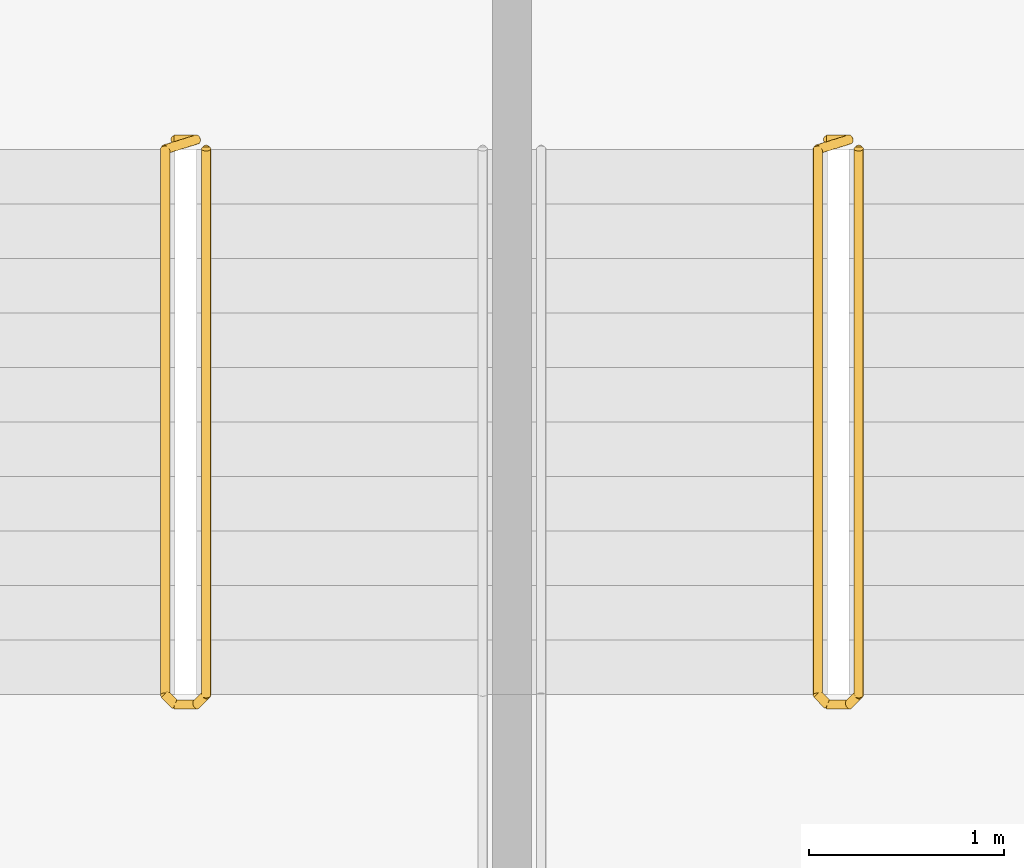
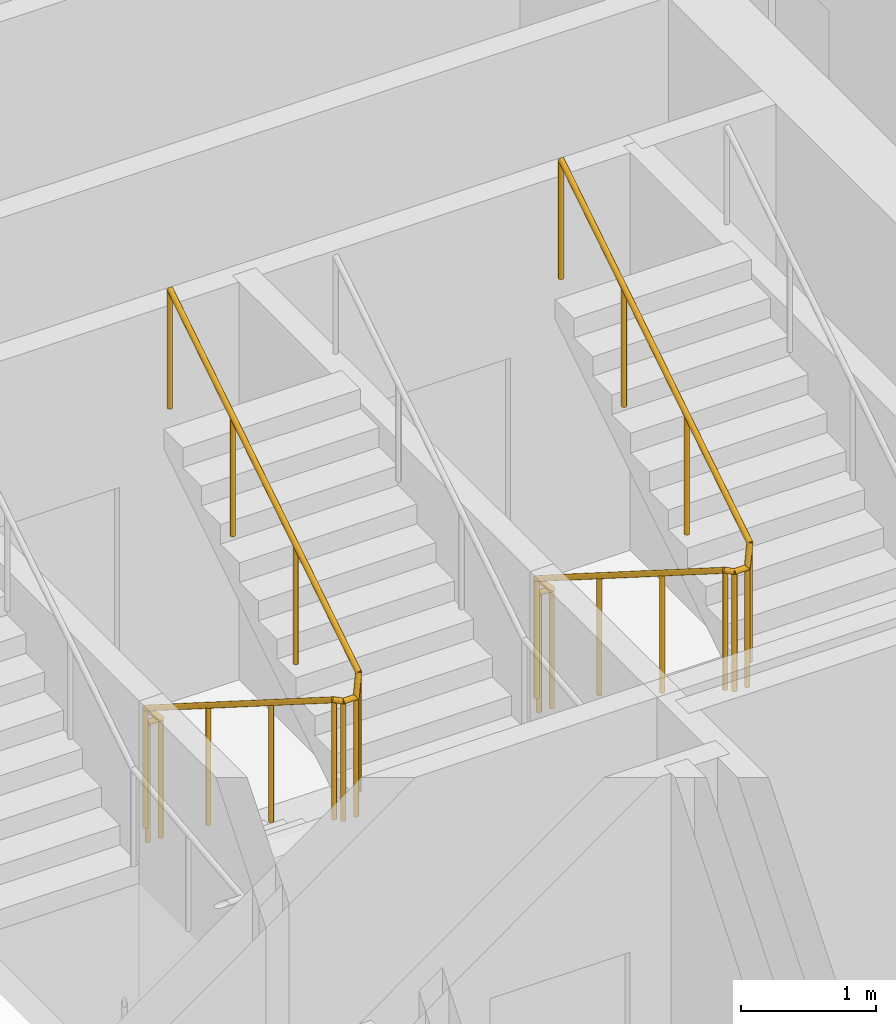
# One storey, part 14 of 14: 2 railings.
"""IFC4 building model written with IfcOpenShell, lengths in metres."""

import ifcopenshell
import ifcopenshell.guid

model = None  # the IFC model being written
_history = None  # IfcOwnerHistory: only IFC2X3 demands one
_inside = {}  # id of a spatial element -> (the spatial element, [elements in it])
_under = {}  # id of a project, library or spatial element -> (it, [spatial elements below it])
_declared = {}  # id of a project -> (the project, [libraries it declares])
_typed = {}  # id of a type object -> (the type object, [elements of that type])
_made_of = {}  # id of a material, layer set ... -> (it, [elements and type objects made of it])


def new_model(schema):
    """Start an empty IFC model of exactly this schema.

    Asked for "IFC4X3", IfcOpenShell would pick the latest addendum, in which some entities
    have other attributes; the version numbers below select the first issue.
    IFC2X3 requires an IfcOwnerHistory on every rooted entity: one is made here for all.
    """
    global model, _history
    if schema == "IFC4X3":
        model = ifcopenshell.file(schema_version=(4, 3, 0, 0))
    else:
        model = ifcopenshell.file(schema=schema)
    _inside.clear()
    _under.clear()
    _declared.clear()
    _typed.clear()
    _made_of.clear()
    _history = None
    if model.schema == "IFC2X3":
        org = make("IfcOrganization", Name="unknown")
        user = make(
            "IfcPersonAndOrganization",
            ThePerson=make("IfcPerson", FamilyName="unknown"),
            TheOrganization=org,
        )
        app = make(
            "IfcApplication",
            ApplicationDeveloper=org,
            Version="unknown",
            ApplicationFullName="unknown",
            ApplicationIdentifier="unknown",
        )
        _history = make(
            "IfcOwnerHistory",
            OwningUser=user,
            OwningApplication=app,
            ChangeAction="ADDED",
            CreationDate=0,
        )
    return model


def make(cls, **values):
    """One entity of the class cls with the attributes given. An attribute that is None is left unset."""
    return model.create_entity(
        cls, **{name: value for name, value in values.items() if value is not None}
    )


def rooted(cls, **values):
    """An entity with a GlobalId (a new one), such as an element, a storey or a relation."""
    return make(cls, GlobalId=ifcopenshell.guid.new(), OwnerHistory=_history, **values)


def si_unit(unit_type, name, prefix=None):
    """IfcSIUnit, for example si_unit("LENGTHUNIT", "METRE", prefix="MILLI")."""
    return make("IfcSIUnit", UnitType=unit_type, Prefix=prefix, Name=name)


def assignment(units):
    """IfcUnitAssignment: the units of a project."""
    return None if units is None else make("IfcUnitAssignment", Units=units)


def point(xyz):
    """IfcCartesianPoint."""
    return None if xyz is None else make("IfcCartesianPoint", Coordinates=xyz)


def direction(xyz):
    """IfcDirection."""
    return None if xyz is None else make("IfcDirection", DirectionRatios=xyz)


def frame(location, z_axis=None, x_axis=None):
    """IfcAxis2Placement3D, a coordinate frame: its origin and axes. An axis left out is left unset."""
    return make(
        "IfcAxis2Placement3D",
        Location=point(location),
        Axis=direction(z_axis),
        RefDirection=direction(x_axis),
    )


def frame_2d(location, x_axis=None):
    """IfcAxis2Placement2D, a coordinate frame in the plane: its origin and x axis."""
    return make(
        "IfcAxis2Placement2D", Location=point(location), RefDirection=direction(x_axis)
    )


def origin():
    """The frame at (0, 0, 0) with its axes left unset."""
    return frame((0.0, 0.0, 0.0))


def origin_2d():
    """The frame at (0, 0) in the plane with its x axis left unset."""
    return frame_2d((0.0, 0.0))


def place(relative_to, where):
    """IfcLocalPlacement: puts the frame where relative to a parent placement (None: the world)."""
    return make(
        "IfcLocalPlacement", PlacementRelTo=relative_to, RelativePlacement=where
    )


def context(
    kind, dimensions, precision=None, world=None, true_north=None, identifier=None
):
    """IfcGeometricRepresentationContext, for example the 3D "Model" context."""
    return make(
        "IfcGeometricRepresentationContext",
        ContextIdentifier=identifier,
        ContextType=kind,
        CoordinateSpaceDimension=dimensions,
        Precision=precision,
        WorldCoordinateSystem=world,
        TrueNorth=true_north,
    )


def subcontext(parent, identifier, kind, view, scale=None):
    """IfcGeometricRepresentationSubContext, for example "Body" below "Model"."""
    return make(
        "IfcGeometricRepresentationSubContext",
        ContextIdentifier=identifier,
        ContextType=kind,
        ParentContext=parent,
        TargetScale=scale,
        TargetView=view,
    )


def project(units=None, contexts=None):
    """IfcProject with its units and contexts."""
    return rooted(
        "IfcProject",
        Name="project",
        RepresentationContexts=contexts,
        UnitsInContext=assignment(units),
    )


def spatial(cls, under=None, at=None, **own):
    """A site, building, storey or space (cls), placed at a placement, below another one or the project."""
    s = rooted(cls, ObjectPlacement=at, **own)
    if under is not None:
        _under.setdefault(under.id(), (under, []))[1].append(s)
    return s


def profile(cls, at=None, kind="AREA", **sizes):
    """A parametric profile (cls). Its sizes go by their IFC names, for example OverallWidth=200.0."""
    return make(cls, ProfileType=kind, Position=at, **sizes)


def circle(**sizes):
    """IfcCircleProfileDef."""
    return profile("IfcCircleProfileDef", **sizes)


def extrude(swept, where, along, depth):
    """IfcExtrudedAreaSolid: the profile swept, set in the frame where, extruded along a direction by depth."""
    return make(
        "IfcExtrudedAreaSolid",
        SweptArea=swept,
        Position=where,
        ExtrudedDirection=direction(along),
        Depth=depth,
    )


def shape(context_of_items, identifier, shape_type, items):
    """IfcShapeRepresentation: the items that make up one representation, for example the "Body"."""
    return make(
        "IfcShapeRepresentation",
        ContextOfItems=context_of_items,
        RepresentationIdentifier=identifier,
        RepresentationType=shape_type,
        Items=items,
    )


def material(Name=None, Category=None):
    """IfcMaterial."""
    return make("IfcMaterial", Name=Name, Category=Category)


def made_of(thing, what):
    """Note that an element or type object is made of a material, layer set ...; save() writes the relation."""
    if what is not None:
        _made_of.setdefault(what.id(), (what, []))[1].append(thing)
    return thing


def type_object(cls, material=None, **own):
    """A type object (cls), such as IfcWallType, which elements share."""
    return made_of(rooted(cls, **own), material)


def element(
    cls,
    number,
    at=None,
    inside=None,
    cuts=None,
    type_object=None,
    material=None,
    context=None,
    identifier="Body",
    shape_type=None,
    held_by="IfcProductDefinitionShape",
    body=None,
    shapes=None,
    **own,
):
    """One element of the class cls, such as IfcWall. Its Tag is "e" and its number.

    at: its placement. inside: the storey or other place that contains it. cuts: it is an
    opening in that element (IfcRelVoidsElement). A single representation is given by context,
    identifier, shape_type and body (its items); several are given by shapes. held_by: the class
    of the entity that holds the representations. save() writes the other relations.
    """
    e = rooted(cls, Tag="e%d" % number, ObjectPlacement=at, **own)
    if body is not None:
        shapes = [shape(context, identifier, shape_type, body)]
    if shapes is not None:
        e.Representation = make(held_by, Representations=shapes)
    if inside is not None:
        _inside.setdefault(inside.id(), (inside, []))[1].append(e)
    if cuts is not None:
        rooted(
            "IfcRelVoidsElement", RelatingBuildingElement=cuts, RelatedOpeningElement=e
        )
    if type_object is not None:
        _typed.setdefault(type_object.id(), (type_object, []))[1].append(e)
    return made_of(e, material)


def aggregate(whole, parts):
    """IfcRelAggregates: a whole, such as a stair, and the parts it consists of."""
    return rooted("IfcRelAggregates", RelatingObject=whole, RelatedObjects=parts)


def save(model, path):
    """Write the relations noted so far, then the file.

    IfcRelAggregates (storeys below a building ...), IfcRelContainedInSpatialStructure (elements
    in a storey), IfcRelDefinesByType, IfcRelAssociatesMaterial and IfcRelDeclares: one each for
    every whole, place, type object, material and project.
    """
    for whole, parts in _under.values():
        aggregate(whole, parts)
    for where, things in _inside.values():
        rooted(
            "IfcRelContainedInSpatialStructure",
            RelatedElements=things,
            RelatingStructure=where,
        )
    for kind, things in _typed.values():
        rooted("IfcRelDefinesByType", RelatedObjects=things, RelatingType=kind)
    for what, things in _made_of.values():
        rooted("IfcRelAssociatesMaterial", RelatedObjects=things, RelatingMaterial=what)
    for by, libraries in _declared.values():
        rooted("IfcRelDeclares", RelatingContext=by, RelatedDefinitions=libraries)
    model.write(path)


model = new_model("IFC4")

# Units and contexts
model_context = context("Model", 3, precision=1e-05, world=origin(), true_north=direction((0.0, 1.0)))
body_context = subcontext(model_context, "Body", "Model", "MODEL_VIEW")
ifc_project = project(units=[si_unit("LENGTHUNIT", "METRE"), si_unit("AREAUNIT", "SQUARE_METRE"), si_unit("VOLUMEUNIT", "CUBIC_METRE"), si_unit("PLANEANGLEUNIT", "RADIAN"), si_unit("MASSUNIT", "GRAM", prefix="KILO")], contexts=[model_context])

# Site, building, storey
site_placement = place(None, origin())
site = spatial("IfcSite", under=ifc_project, at=site_placement, CompositionType="ELEMENT")
building_placement = place(site_placement, origin())
building = spatial("IfcBuilding", under=site, at=building_placement, Name="Tessera Arch", CompositionType="ELEMENT")
storey_placement = place(building_placement, frame((0.0, 0.0, 134.89990234375)))
storey = spatial("IfcBuildingStorey", under=building, at=storey_placement, Name="L31", CompositionType="ELEMENT", Elevation=134.89990234375)

# Railings
ifc_material = material(Name="Painted steel balustrade", Category="steel")
railing_type = type_object("IfcRailingType", Name="Stair guard 1100", PredefinedType="GUARDRAIL", material=ifc_material)
railing_1_placement = place(storey_placement, frame((41.570068359375, 43.6298828125, 0.0)))
element("IfcRailing", 1, at=railing_1_placement, inside=storey, type_object=railing_type, Name="L31 S1b stair guard 1", PredefinedType="GUARDRAIL", context=body_context, shape_type="SweptSolid", body=[
    extrude(circle(Radius=0.02392578125, at=origin_2d()), frame((-0.00390625, 0.0, 1.076171875), z_axis=(1.0, 0.0, 0.0), x_axis=(0.0, 1.0, 0.0)), (0.0, 0.0, 1.0), 0.117919921875),
    extrude(circle(Radius=0.02392578125, at=origin_2d()), frame((0.112548828125, 0.000732421875, 1.0732421875), z_axis=(-0.655271994328, -0.204084712737, 0.727301892941), x_axis=(0.297361876254, -0.954764847777, 0.0)), (0.0, 0.0, 1.0), 0.251953125),
    extrude(circle(Radius=0.02392578125, at=origin_2d()), frame((-0.050048828125, -0.04638671875, 1.25146484375), z_axis=(0.0, -0.844908973607, 0.534910110503), x_axis=(1.0, 0.0, 0.0)), (0.0, 0.0, 1.0), 3.322021484375),
    extrude(circle(Radius=0.02392578125, at=origin_2d()), frame((-0.052978515625, -2.846923828125, 3.0263671875), z_axis=(0.707106781187, -0.707106781187, 0.0), x_axis=(0.707106781187, 0.707106781187, 0.0)), (0.0, 0.0, 1.0), 0.078857421875),
    extrude(circle(Radius=0.02392578125, at=origin_2d()), frame((-0.00390625, -2.89990234375, 3.0263671875), z_axis=(1.0, 0.0, 0.0), x_axis=(0.0, 1.0, 0.0)), (0.0, 0.0, 1.0), 0.117919921875),
    extrude(circle(Radius=0.02392578125, at=origin_2d()), frame((0.10888671875, -2.90087890625, 3.0224609375), z_axis=(0.262233686654, 0.262233686654, 0.928691007369), x_axis=(-0.707106781187, 0.707106781187, 0.0)), (0.0, 0.0, 1.0), 0.198974609375),
    extrude(circle(Radius=0.02392578125, at=origin_2d()), frame((0.159912109375, -2.853271484375, 3.201416015625), z_axis=(0.0, 0.844908973607, 0.534910110503), x_axis=(-1.0, 0.0, 0.0)), (0.0, 0.0, 1.0), 3.322021484375),
    extrude(circle(Radius=0.02099609375, at=origin_2d()), origin(), (0.0, 0.0, 1.0), 1.06396484375),
    extrude(circle(Radius=0.02099609375, at=origin_2d()), frame((0.10986328125, 0.0, 0.0)), (0.0, 0.0, 1.0), 1.06396484375),
    extrude(circle(Radius=0.02099609375, at=origin_2d()), frame((-0.050048828125, -0.0498046875, 0.177490234375)), (0.0, 0.0, 1.0), 1.06396484375),
    extrude(circle(Radius=0.02099609375, at=origin_2d()), frame((-0.050048828125, -0.983154296875, 0.768310546875)), (0.0, 0.0, 1.0), 1.06396484375),
    extrude(circle(Radius=0.02099609375, at=origin_2d()), frame((-0.050048828125, -1.91650390625, 1.359375)), (0.0, 0.0, 1.0), 1.06396484375),
    extrude(circle(Radius=0.02099609375, at=origin_2d()), frame((-0.050048828125, -2.849853515625, 1.9501953125)), (0.0, 0.0, 1.0), 1.06396484375),
    extrude(circle(Radius=0.02099609375, at=origin_2d()), frame((0.0, -2.89990234375, 1.9501953125)), (0.0, 0.0, 1.0), 1.06396484375),
    extrude(circle(Radius=0.02099609375, at=origin_2d()), frame((0.10986328125, -2.89990234375, 1.9501953125)), (0.0, 0.0, 1.0), 1.06396484375),
    extrude(circle(Radius=0.02099609375, at=origin_2d()), frame((0.159912109375, -2.849853515625, 2.12744140625)), (0.0, 0.0, 1.0), 1.06396484375),
    extrude(circle(Radius=0.02099609375, at=origin_2d()), frame((0.159912109375, -1.91650390625, 2.71826171875)), (0.0, 0.0, 1.0), 1.06396484375),
    extrude(circle(Radius=0.02099609375, at=origin_2d()), frame((0.159912109375, -0.983154296875, 3.309326171875)), (0.0, 0.0, 1.0), 1.06396484375),
    extrude(circle(Radius=0.02099609375, at=origin_2d()), frame((0.159912109375, -0.0498046875, 3.900146484375)), (0.0, 0.0, 1.0), 1.06396484375),
])
railing_2_placement = place(storey_placement, frame((44.919921875, 43.6298828125, 0.0)))
element("IfcRailing", 2, at=railing_2_placement, inside=storey, type_object=railing_type, Name="L31 S1c stair guard 1", PredefinedType="GUARDRAIL", context=body_context, shape_type="SweptSolid", body=[
    extrude(circle(Radius=0.02392578125, at=origin_2d()), frame((-0.00390625, 0.0, 1.076171875), z_axis=(1.0, 0.0, 0.0), x_axis=(0.0, 1.0, 0.0)), (0.0, 0.0, 1.0), 0.1181640625),
    extrude(circle(Radius=0.02392578125, at=origin_2d()), frame((0.11279296875, 0.000732421875, 1.0732421875), z_axis=(-0.655271994328, -0.204084712737, 0.727301892941), x_axis=(0.297361876254, -0.954764847777, 0.0)), (0.0, 0.0, 1.0), 0.251953125),
    extrude(circle(Radius=0.02392578125, at=origin_2d()), frame((-0.0498046875, -0.04638671875, 1.25146484375), z_axis=(0.0, -0.844908973607, 0.534910110503), x_axis=(1.0, 0.0, 0.0)), (0.0, 0.0, 1.0), 3.322021484375),
    extrude(circle(Radius=0.02392578125, at=origin_2d()), frame((-0.052734375, -2.846923828125, 3.0263671875), z_axis=(0.705375805398, -0.708833529934, 0.0), x_axis=(0.708833529934, 0.705375805398, 0.0)), (0.0, 0.0, 1.0), 0.07861328125),
    extrude(circle(Radius=0.02392578125, at=origin_2d()), frame((-0.00390625, -2.89990234375, 3.0263671875), z_axis=(1.0, 0.0, 0.0), x_axis=(0.0, 1.0, 0.0)), (0.0, 0.0, 1.0), 0.1181640625),
    extrude(circle(Radius=0.02392578125, at=origin_2d()), frame((0.109130859375, -2.90087890625, 3.0224609375), z_axis=(0.262233686654, 0.262233686654, 0.928691007369), x_axis=(-0.707106781187, 0.707106781187, 0.0)), (0.0, 0.0, 1.0), 0.198974609375),
    extrude(circle(Radius=0.02392578125, at=origin_2d()), frame((0.16015625, -2.853271484375, 3.201416015625), z_axis=(0.0, 0.844908973607, 0.534910110503), x_axis=(-1.0, 0.0, 0.0)), (0.0, 0.0, 1.0), 3.322021484375),
    extrude(circle(Radius=0.02099609375, at=origin_2d()), origin(), (0.0, 0.0, 1.0), 1.06396484375),
    extrude(circle(Radius=0.02099609375, at=origin_2d()), frame((0.110107421875, 0.0, 0.0)), (0.0, 0.0, 1.0), 1.06396484375),
    extrude(circle(Radius=0.02099609375, at=origin_2d()), frame((-0.0498046875, -0.0498046875, 0.177490234375)), (0.0, 0.0, 1.0), 1.06396484375),
    extrude(circle(Radius=0.02099609375, at=origin_2d()), frame((-0.0498046875, -0.983154296875, 0.768310546875)), (0.0, 0.0, 1.0), 1.06396484375),
    extrude(circle(Radius=0.02099609375, at=origin_2d()), frame((-0.0498046875, -1.91650390625, 1.359375)), (0.0, 0.0, 1.0), 1.06396484375),
    extrude(circle(Radius=0.02099609375, at=origin_2d()), frame((-0.0498046875, -2.849853515625, 1.9501953125)), (0.0, 0.0, 1.0), 1.06396484375),
    extrude(circle(Radius=0.02099609375, at=origin_2d()), frame((0.0, -2.89990234375, 1.9501953125)), (0.0, 0.0, 1.0), 1.06396484375),
    extrude(circle(Radius=0.02099609375, at=origin_2d()), frame((0.110107421875, -2.89990234375, 1.9501953125)), (0.0, 0.0, 1.0), 1.06396484375),
    extrude(circle(Radius=0.02099609375, at=origin_2d()), frame((0.16015625, -2.849853515625, 2.12744140625)), (0.0, 0.0, 1.0), 1.06396484375),
    extrude(circle(Radius=0.02099609375, at=origin_2d()), frame((0.16015625, -1.91650390625, 2.71826171875)), (0.0, 0.0, 1.0), 1.06396484375),
    extrude(circle(Radius=0.02099609375, at=origin_2d()), frame((0.16015625, -0.983154296875, 3.309326171875)), (0.0, 0.0, 1.0), 1.06396484375),
    extrude(circle(Radius=0.02099609375, at=origin_2d()), frame((0.16015625, -0.0498046875, 3.900146484375)), (0.0, 0.0, 1.0), 1.06396484375),
])

save(model, "model.ifc")
